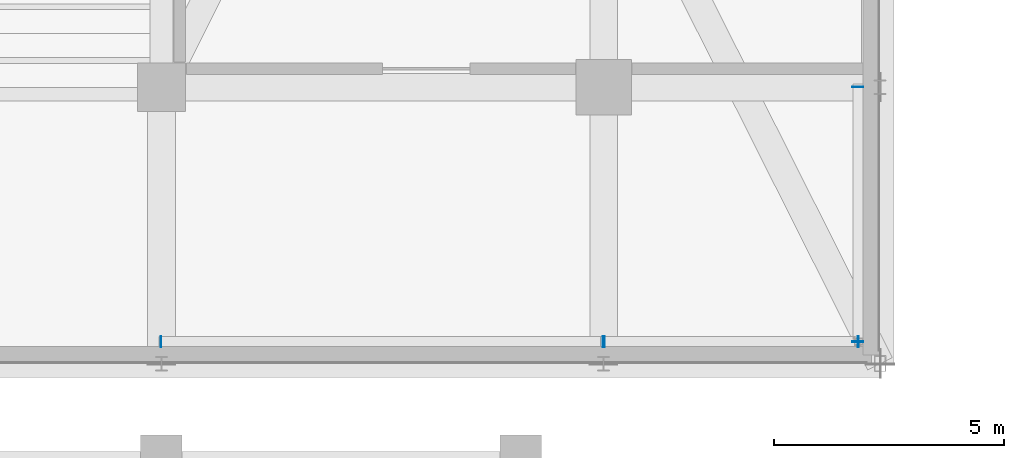
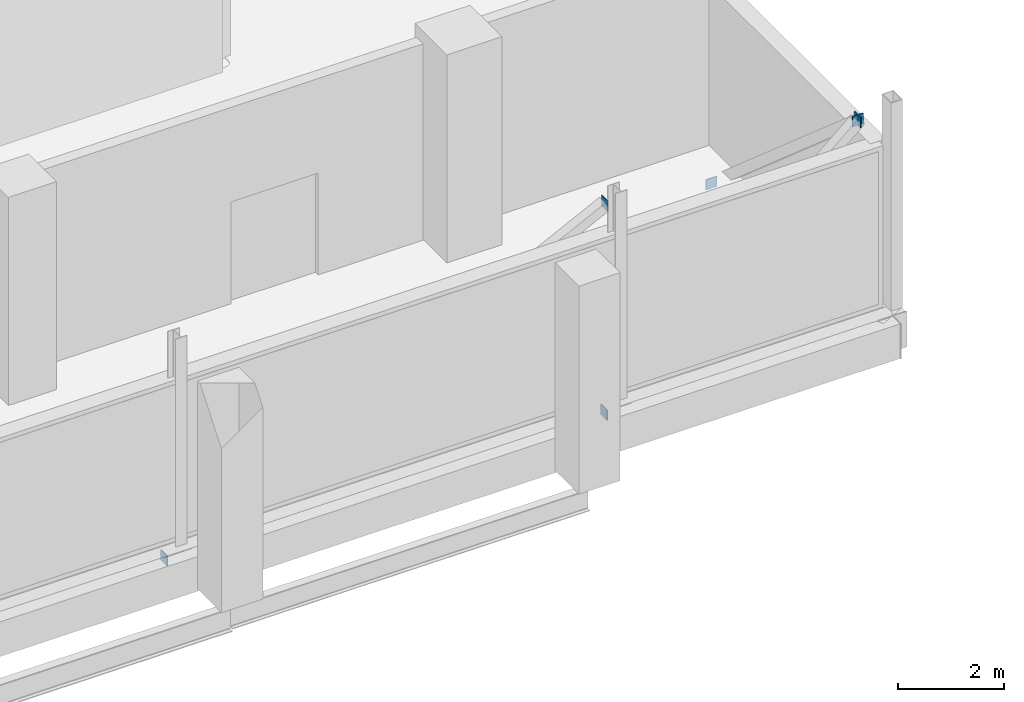
# One storey, part 80 of 100: 6 plates.
"""IFC4 building model written with IfcOpenShell, lengths in metres."""

import ifcopenshell
import ifcopenshell.guid

model = None  # the IFC model being written
_history = None  # IfcOwnerHistory: only IFC2X3 demands one
_inside = {}  # id of a spatial element -> (the spatial element, [elements in it])
_under = {}  # id of a project, library or spatial element -> (it, [spatial elements below it])
_declared = {}  # id of a project -> (the project, [libraries it declares])
_typed = {}  # id of a type object -> (the type object, [elements of that type])
_made_of = {}  # id of a material, layer set ... -> (it, [elements and type objects made of it])


def new_model(schema):
    """Start an empty IFC model of exactly this schema.

    Asked for "IFC4X3", IfcOpenShell would pick the latest addendum, in which some entities
    have other attributes; the version numbers below select the first issue.
    IFC2X3 requires an IfcOwnerHistory on every rooted entity: one is made here for all.
    """
    global model, _history
    if schema == "IFC4X3":
        model = ifcopenshell.file(schema_version=(4, 3, 0, 0))
    else:
        model = ifcopenshell.file(schema=schema)
    _inside.clear()
    _under.clear()
    _declared.clear()
    _typed.clear()
    _made_of.clear()
    _history = None
    if model.schema == "IFC2X3":
        org = make("IfcOrganization", Name="unknown")
        user = make(
            "IfcPersonAndOrganization",
            ThePerson=make("IfcPerson", FamilyName="unknown"),
            TheOrganization=org,
        )
        app = make(
            "IfcApplication",
            ApplicationDeveloper=org,
            Version="unknown",
            ApplicationFullName="unknown",
            ApplicationIdentifier="unknown",
        )
        _history = make(
            "IfcOwnerHistory",
            OwningUser=user,
            OwningApplication=app,
            ChangeAction="ADDED",
            CreationDate=0,
        )
    return model


def make(cls, **values):
    """One entity of the class cls with the attributes given. An attribute that is None is left unset."""
    return model.create_entity(
        cls, **{name: value for name, value in values.items() if value is not None}
    )


def rooted(cls, **values):
    """An entity with a GlobalId (a new one), such as an element, a storey or a relation."""
    return make(cls, GlobalId=ifcopenshell.guid.new(), OwnerHistory=_history, **values)


def si_unit(unit_type, name, prefix=None):
    """IfcSIUnit, for example si_unit("LENGTHUNIT", "METRE", prefix="MILLI")."""
    return make("IfcSIUnit", UnitType=unit_type, Prefix=prefix, Name=name)


def derived_unit(unit_type, elements):
    """IfcDerivedUnit: a product of units, each with its exponent."""
    return make(
        "IfcDerivedUnit",
        Elements=[
            make("IfcDerivedUnitElement", Unit=unit, Exponent=power)
            for unit, power in elements
        ],
        UnitType=unit_type,
    )


def assignment(units):
    """IfcUnitAssignment: the units of a project."""
    return None if units is None else make("IfcUnitAssignment", Units=units)


def point(xyz):
    """IfcCartesianPoint."""
    return None if xyz is None else make("IfcCartesianPoint", Coordinates=xyz)


def direction(xyz):
    """IfcDirection."""
    return None if xyz is None else make("IfcDirection", DirectionRatios=xyz)


def frame(location, z_axis=None, x_axis=None):
    """IfcAxis2Placement3D, a coordinate frame: its origin and axes. An axis left out is left unset."""
    return make(
        "IfcAxis2Placement3D",
        Location=point(location),
        Axis=direction(z_axis),
        RefDirection=direction(x_axis),
    )


def frame_2d(location, x_axis=None):
    """IfcAxis2Placement2D, a coordinate frame in the plane: its origin and x axis."""
    return make(
        "IfcAxis2Placement2D", Location=point(location), RefDirection=direction(x_axis)
    )


def origin():
    """The frame at (0, 0, 0) with its axes left unset."""
    return frame((0.0, 0.0, 0.0))


def origin_2d():
    """The frame at (0, 0) in the plane with its x axis left unset."""
    return frame_2d((0.0, 0.0))


def place(relative_to, where):
    """IfcLocalPlacement: puts the frame where relative to a parent placement (None: the world)."""
    return make(
        "IfcLocalPlacement", PlacementRelTo=relative_to, RelativePlacement=where
    )


def context(
    kind, dimensions, precision=None, world=None, true_north=None, identifier=None
):
    """IfcGeometricRepresentationContext, for example the 3D "Model" context."""
    return make(
        "IfcGeometricRepresentationContext",
        ContextIdentifier=identifier,
        ContextType=kind,
        CoordinateSpaceDimension=dimensions,
        Precision=precision,
        WorldCoordinateSystem=world,
        TrueNorth=true_north,
    )


def subcontext(parent, identifier, kind, view, scale=None):
    """IfcGeometricRepresentationSubContext, for example "Body" below "Model"."""
    return make(
        "IfcGeometricRepresentationSubContext",
        ContextIdentifier=identifier,
        ContextType=kind,
        ParentContext=parent,
        TargetScale=scale,
        TargetView=view,
    )


def project(units=None, contexts=None):
    """IfcProject with its units and contexts."""
    return rooted(
        "IfcProject",
        Name="project",
        RepresentationContexts=contexts,
        UnitsInContext=assignment(units),
    )


def spatial(cls, under=None, at=None, **own):
    """A site, building, storey or space (cls), placed at a placement, below another one or the project."""
    s = rooted(cls, ObjectPlacement=at, **own)
    if under is not None:
        _under.setdefault(under.id(), (under, []))[1].append(s)
    return s


def profile(cls, at=None, kind="AREA", **sizes):
    """A parametric profile (cls). Its sizes go by their IFC names, for example OverallWidth=200.0."""
    return make(cls, ProfileType=kind, Position=at, **sizes)


def rectangle(**sizes):
    """IfcRectangleProfileDef."""
    return profile("IfcRectangleProfileDef", **sizes)


def extrude(swept, where, along, depth):
    """IfcExtrudedAreaSolid: the profile swept, set in the frame where, extruded along a direction by depth."""
    return make(
        "IfcExtrudedAreaSolid",
        SweptArea=swept,
        Position=where,
        ExtrudedDirection=direction(along),
        Depth=depth,
    )


def shape(context_of_items, identifier, shape_type, items):
    """IfcShapeRepresentation: the items that make up one representation, for example the "Body"."""
    return make(
        "IfcShapeRepresentation",
        ContextOfItems=context_of_items,
        RepresentationIdentifier=identifier,
        RepresentationType=shape_type,
        Items=items,
    )


def material(Name=None, Category=None):
    """IfcMaterial."""
    return make("IfcMaterial", Name=Name, Category=Category)


def layer(
    of_material, thickness, ventilated=None, Name=None, Category=None, Priority=None
):
    """IfcMaterialLayer: one layer of a wall or slab, of a material (None: an air gap)."""
    return make(
        "IfcMaterialLayer",
        Material=of_material,
        LayerThickness=thickness,
        IsVentilated=ventilated,
        Name=Name,
        Category=Category,
        Priority=Priority,
    )


def layer_set(layers, Name=None):
    """IfcMaterialLayerSet."""
    return make("IfcMaterialLayerSet", MaterialLayers=layers, LayerSetName=Name)


def made_of(thing, what):
    """Note that an element or type object is made of a material, layer set ...; save() writes the relation."""
    if what is not None:
        _made_of.setdefault(what.id(), (what, []))[1].append(thing)
    return thing


def type_object(cls, material=None, **own):
    """A type object (cls), such as IfcWallType, which elements share."""
    return made_of(rooted(cls, **own), material)


def element(
    cls,
    number,
    at=None,
    inside=None,
    cuts=None,
    type_object=None,
    material=None,
    context=None,
    identifier="Body",
    shape_type=None,
    held_by="IfcProductDefinitionShape",
    body=None,
    shapes=None,
    **own,
):
    """One element of the class cls, such as IfcWall. Its Tag is "e" and its number.

    at: its placement. inside: the storey or other place that contains it. cuts: it is an
    opening in that element (IfcRelVoidsElement). A single representation is given by context,
    identifier, shape_type and body (its items); several are given by shapes. held_by: the class
    of the entity that holds the representations. save() writes the other relations.
    """
    e = rooted(cls, Tag="e%d" % number, ObjectPlacement=at, **own)
    if body is not None:
        shapes = [shape(context, identifier, shape_type, body)]
    if shapes is not None:
        e.Representation = make(held_by, Representations=shapes)
    if inside is not None:
        _inside.setdefault(inside.id(), (inside, []))[1].append(e)
    if cuts is not None:
        rooted(
            "IfcRelVoidsElement", RelatingBuildingElement=cuts, RelatedOpeningElement=e
        )
    if type_object is not None:
        _typed.setdefault(type_object.id(), (type_object, []))[1].append(e)
    return made_of(e, material)


def aggregate(whole, parts):
    """IfcRelAggregates: a whole, such as a stair, and the parts it consists of."""
    return rooted("IfcRelAggregates", RelatingObject=whole, RelatedObjects=parts)


def save(model, path):
    """Write the relations noted so far, then the file.

    IfcRelAggregates (storeys below a building ...), IfcRelContainedInSpatialStructure (elements
    in a storey), IfcRelDefinesByType, IfcRelAssociatesMaterial and IfcRelDeclares: one each for
    every whole, place, type object, material and project.
    """
    for whole, parts in _under.values():
        aggregate(whole, parts)
    for where, things in _inside.values():
        rooted(
            "IfcRelContainedInSpatialStructure",
            RelatedElements=things,
            RelatingStructure=where,
        )
    for kind, things in _typed.values():
        rooted("IfcRelDefinesByType", RelatedObjects=things, RelatingType=kind)
    for what, things in _made_of.values():
        rooted("IfcRelAssociatesMaterial", RelatedObjects=things, RelatingMaterial=what)
    for by, libraries in _declared.values():
        rooted("IfcRelDeclares", RelatingContext=by, RelatedDefinitions=libraries)
    model.write(path)


model = new_model("IFC4")

# Units and contexts
model_context = context("Model", 3, precision=1e-05, world=origin(), true_north=direction((0.0, 1.0)))
body_context = subcontext(model_context, "Body", "Model", "MODEL_VIEW")
ifc_project = project(units=[si_unit("LENGTHUNIT", "METRE"), si_unit("AREAUNIT", "SQUARE_METRE"), si_unit("VOLUMEUNIT", "CUBIC_METRE"), si_unit("PLANEANGLEUNIT", "RADIAN"), si_unit("MASSUNIT", "GRAM", prefix="KILO"), derived_unit("THERMALTRANSMITTANCEUNIT", [(si_unit("POWERUNIT", "WATT"), 1), (si_unit("LENGTHUNIT", "METRE"), -2), (si_unit("THERMODYNAMICTEMPERATUREUNIT", "KELVIN"), -1)])], contexts=[model_context])

# Site, building, storey
site_placement = place(None, origin())
site = spatial("IfcSite", under=ifc_project, at=site_placement, CompositionType="ELEMENT")
building_placement = place(site_placement, origin())
building = spatial("IfcBuilding", under=site, at=building_placement, Name="Nallur Shell Playhouse", CompositionType="ELEMENT")
storey_placement = place(building_placement, frame((0.0, 0.0, 10.199951171875)))
storey = spatial("IfcBuildingStorey", under=building, at=storey_placement, Name="L03", CompositionType="ELEMENT", Elevation=10.199951171875)

# Plates
ifc_material = material(Name="Steel E350", Category="steel")
ifc_layer = layer(ifc_material, 0.02001953125)
ifc_layer_set = layer_set([ifc_layer], Name="Steel E350")
plate_type = type_object("IfcPlateType", Name="PT-ENDCAP-20", PredefinedType="SHEET", material=ifc_layer_set)
for number, where, z_axis, x_axis, name in (
    (1, (118.1201171875, 16.007568359375, -0.78662109375), (0.0, 0.0, 1.0), (1.0, 0.0, 0.0), "Hollow end cap EC-GBD-L03-3-A"),
    (2, (118.1201171875, 10.472412109375, 4.02685546875), (0.0, 0.0, 1.0), (1.0, 0.0, 0.0), "Hollow end cap EC-GBD-L03-3-B"),
):
    element("IfcPlate", number, at=place(storey_placement, frame(where, z_axis=z_axis, x_axis=x_axis)), inside=storey, type_object=plate_type, Name=name, PredefinedType="SHEET", context=body_context, shape_type="SweptSolid", body=[
        extrude(rectangle(XDim=0.239990234375, YDim=0.02001953125, at=origin_2d()), origin(), (0.0, 0.0, 1.0), 0.239990234375),
    ])
for number, where, z_axis, x_axis, name in (
    (3, (112.592529296875, 10.47998046875, -0.78662109375), (0.0, 0.0, 1.0), (1.0, 0.0, 0.0), "Hollow end cap EC-GBD-L03-7-A"),
    (4, (118.12744140625, 10.47998046875, 4.02685546875), (0.0, 0.0, 1.0), (1.0, 0.0, 0.0), "Hollow end cap EC-GBD-L03-7-B"),
    (5, (102.990966796875, 10.47998046875, -0.7841796875), (0.0, 0.0, 1.0), (1.0, 0.0, 0.0), "Hollow end cap EC-GBD-L03-8-A"),
    (6, (112.60888671875, 10.47998046875, 4.0244140625), (0.0, 0.0, 1.0), (1.0, 0.0, 0.0), "Hollow end cap EC-GBD-L03-8-B"),
):
    element("IfcPlate", number, at=place(storey_placement, frame(where, z_axis=z_axis, x_axis=x_axis)), inside=storey, type_object=plate_type, Name=name, PredefinedType="SHEET", context=body_context, shape_type="SweptSolid", body=[
        extrude(rectangle(XDim=0.02001953125, YDim=0.239990234375, at=origin_2d()), origin(), (0.0, 0.0, 1.0), 0.239990234375),
    ])

save(model, "model.ifc")
